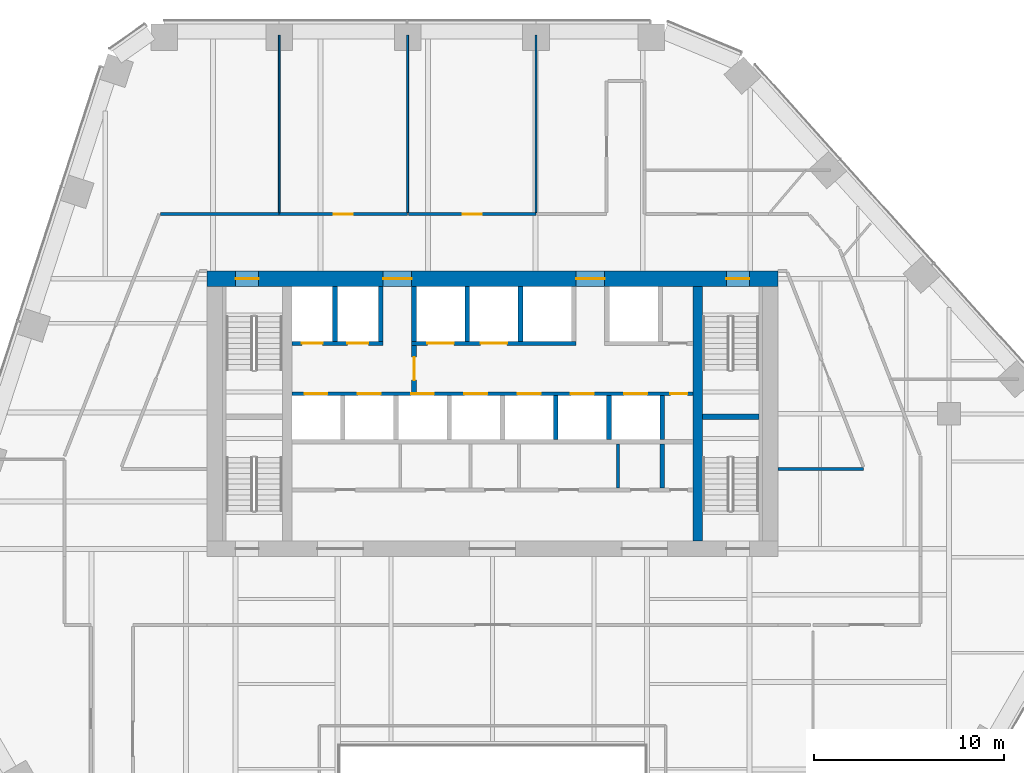
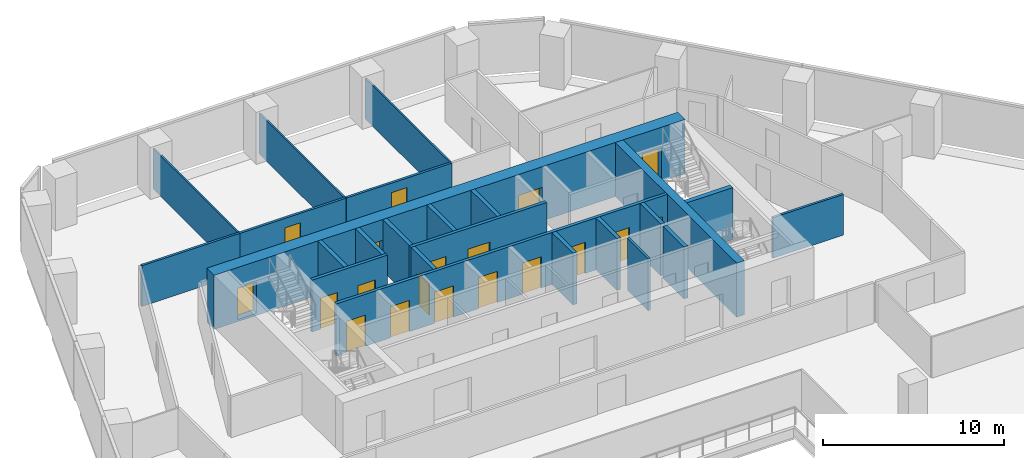
# One storey, part 12 of 16: 24 walls, 19 doors, 19 openings.
"""IFC4 building model written with IfcOpenShell, lengths in metres."""

from ifc_helpers import new_model, si_unit, direction, frame, frame_2d, origin, place, context, subcontext, project, spatial, rectangle, extrude, material, layer, layer_set, type_object, element, fill, save


model = new_model("IFC4")

# Units and contexts
model_context = context("Model", 3, precision=1e-05, world=origin(), true_north=direction((0.0, 1.0)))
body_context = subcontext(model_context, "Body", "Model", "MODEL_VIEW")
ifc_project = project(units=[si_unit("LENGTHUNIT", "METRE"), si_unit("AREAUNIT", "SQUARE_METRE"), si_unit("VOLUMEUNIT", "CUBIC_METRE"), si_unit("PLANEANGLEUNIT", "RADIAN"), si_unit("MASSUNIT", "GRAM", prefix="KILO")], contexts=[model_context])

# Site, building, storey
site_placement = place(None, origin())
site = spatial("IfcSite", under=ifc_project, at=site_placement, CompositionType="ELEMENT")
building_placement = place(site_placement, origin())
building = spatial("IfcBuilding", under=site, at=building_placement, Name="Isthmus Gate Tower", CompositionType="ELEMENT")
storey_placement = place(building_placement, frame((0.0, 0.0, 133.449951171875)))
storey = spatial("IfcBuildingStorey", under=building, at=storey_placement, Name="L32", CompositionType="ELEMENT", Elevation=133.449951171875)

# Wall, opening, door
ifc_material_1 = material(Name="Gypsum board on steel studs, fire-rated", Category="steel")
ifc_layer_1 = layer(ifc_material_1, 0.14990234375)
ifc_layer_set_1 = layer_set([ifc_layer_1], Name="CORRIDOR WALL 150 60 MIN")
wall_type_1 = type_object("IfcWallType", Name="CORRIDOR WALL 150 60 MIN", PredefinedType="PARTITIONING", material=ifc_layer_set_1)
wall_1_placement = place(storey_placement, frame((-11.2119140625, 18.0, 0.0), z_axis=(0.0, 0.0, 1.0), x_axis=(1.0, 0.0, 0.0)))
wall_1 = element("IfcWall", 1, at=wall_1_placement, inside=storey, type_object=wall_type_1, Name="L32 Corridor Wall 150 60 Min", PredefinedType="PARTITIONING", context=body_context, shape_type="SweptSolid", body=[
    extrude(rectangle(XDim=6.75, YDim=0.14990234375, at=frame_2d((3.375, 0.0))), origin(), (0.0, 0.0, 1.0), 2.7412109375),
])
opening_1_placement = place(wall_1_placement, frame((2.875, 0.0, 0.0)))
opening_1 = element("IfcOpeningElement", 2, at=opening_1_placement, cuts=wall_1, Name="Opening DT-T3A-01", PredefinedType="OPENING", context=body_context, shape_type="SweptSolid", body=[
    extrude(rectangle(XDim=1.0, YDim=2.10009765625, at=frame_2d((0.5, 1.050048828125))), frame((0.0, 0.0849609375, 0.0), z_axis=(0.0, -1.0, 0.0), x_axis=(1.0, 0.0, 0.0)), (0.0, 0.0, 1.0), 0.169921875),
])
ifc_material_2 = material(Name="Solid core timber door leaf, fire-rated", Category="wood")
door_type_1 = type_object("IfcDoorType", Name="FIRE DOOR ROOM 1000 X 2100 60 MIN", OperationType="SINGLE_SWING_LEFT", PredefinedType="DOOR", material=ifc_material_2)
door_1_placement = place(opening_1_placement, origin())
door_1 = element("IfcDoor", 3, at=door_1_placement, inside=storey, type_object=door_type_1, Name="L32 room door", OperationType="SINGLE_SWING_RIGHT", OverallHeight=2.10009765625, OverallWidth=1.0, PredefinedType="DOOR", context=body_context, shape_type="SweptSolid", body=[
    extrude(rectangle(XDim=1.0, YDim=2.10009765625, at=frame_2d((0.5, 1.050048828125))), frame((0.0, 0.02490234375, 0.0), z_axis=(0.0, -1.0, 0.0), x_axis=(1.0, 0.0, 0.0)), (0.0, 0.0, 1.0), 0.050048828125),
])
fill(opening_1, door_1)

wall_2_placement = place(storey_placement, frame((-4.412109375, 18.0, 0.0), z_axis=(0.0, 0.0, 1.0), x_axis=(1.0, 0.0, 0.0)))
wall_2 = element("IfcWall", 4, at=wall_2_placement, inside=storey, type_object=wall_type_1, Name="L32 Corridor Wall 150 60 Min", PredefinedType="PARTITIONING", context=body_context, shape_type="SweptSolid", body=[
    extrude(rectangle(XDim=6.7001953125, YDim=0.14990234375, at=frame_2d((3.35009765625, 0.0))), origin(), (0.0, 0.0, 1.0), 2.7412109375),
])
opening_2_placement = place(wall_2_placement, frame((2.85009765625, 0.0, 0.0)))
opening_2 = element("IfcOpeningElement", 5, at=opening_2_placement, cuts=wall_2, Name="Opening DT-T3A-02", PredefinedType="OPENING", context=body_context, shape_type="SweptSolid", body=[
    extrude(rectangle(XDim=1.0, YDim=2.10009765625, at=frame_2d((0.5, 1.050048828125))), frame((0.0, 0.0849609375, 0.0), z_axis=(0.0, -1.0, 0.0), x_axis=(1.0, 0.0, 0.0)), (0.0, 0.0, 1.0), 0.169921875),
])
door_2_placement = place(opening_2_placement, origin())
door_2 = element("IfcDoor", 6, at=door_2_placement, inside=storey, type_object=door_type_1, Name="L32 room door", OperationType="SINGLE_SWING_RIGHT", OverallHeight=2.10009765625, OverallWidth=1.0, PredefinedType="DOOR", context=body_context, shape_type="SweptSolid", body=[
    extrude(rectangle(XDim=1.0, YDim=2.10009765625, at=frame_2d((0.5, 1.050048828125))), frame((0.0, 0.02490234375, 0.0), z_axis=(0.0, -1.0, 0.0), x_axis=(1.0, 0.0, 0.0)), (0.0, 0.0, 1.0), 0.050048828125),
])
fill(opening_2, door_2)

# Walls
wall_3_placement = place(storey_placement, frame((-17.448974609375, 18.0, 0.0), z_axis=(0.0, 0.0, 1.0), x_axis=(1.0, 0.0, 0.0)))
element("IfcWall", 7, at=wall_3_placement, inside=storey, type_object=wall_type_1, Name="L32 Corridor Wall 150 60 Min", PredefinedType="PARTITIONING", context=body_context, shape_type="SweptSolid", body=[
    extrude(rectangle(XDim=6.237060546875, YDim=0.14990234375, at=frame_2d((3.11865234375, 0.0))), origin(), (0.0, 0.0, 1.0), 2.7412109375),
])
wall_4_placement = place(storey_placement, frame((15.0, 4.60009765625, 0.0), z_axis=(0.0, 0.0, 1.0), x_axis=(1.0, 0.0, 0.0)))
element("IfcWall", 8, at=wall_4_placement, inside=storey, type_object=wall_type_1, Name="L32 Corridor Wall 150 60 Min", PredefinedType="PARTITIONING", context=body_context, shape_type="SweptSolid", body=[
    extrude(rectangle(XDim=4.5, YDim=0.14990234375, at=frame_2d((2.25, 0.0))), origin(), (0.0, 0.0, 1.0), 2.7412109375),
])

# Wall, opening, door
ifc_material_3 = material(Name="Fire-rated blockwork masonry, 15 MPa", Category="masonry")
ifc_layer_2 = layer(ifc_material_3, 0.25)
ifc_layer_set_2 = layer_set([ifc_layer_2], Name="FIRE-FIGHTING LOBBY WALL 250 90 MIN")
wall_type_2 = type_object("IfcWallType", Name="FIRE-FIGHTING LOBBY WALL 250 90 MIN", PredefinedType="PARTITIONING", material=ifc_layer_set_2)
wall_5_placement = place(storey_placement, frame((-4.125, 8.64990234375, 0.0), z_axis=(0.0, 0.0, 1.0), x_axis=(0.0, 1.0, 0.0)))
wall_5 = element("IfcWall", 9, at=wall_5_placement, inside=storey, type_object=wall_type_2, Name="L32 FIRE-FIGHTING LOBBY WALL 250 90 MIN", PredefinedType="PARTITIONING", context=body_context, shape_type="SweptSolid", body=[
    extrude(rectangle(XDim=2.4501953125, YDim=0.25, at=frame_2d((1.22509765625, 0.0))), origin(), (0.0, 0.0, 1.0), 3.5),
])
opening_3_placement = place(wall_5_placement, frame((0.625, 0.0, 0.0)))
opening_3 = element("IfcOpeningElement", 10, at=opening_3_placement, cuts=wall_5, Name="Opening DC-A11-01", PredefinedType="OPENING", context=body_context, shape_type="SweptSolid", body=[
    extrude(rectangle(XDim=1.199951171875, YDim=2.10009765625, at=frame_2d((0.60009765625, 1.050048828125))), frame((0.0, 0.135009765625, 0.0), z_axis=(0.0, -1.0, 0.0), x_axis=(1.0, 0.0, 0.0)), (0.0, 0.0, 1.0), 0.27001953125),
])
ifc_material_4 = material(Name="Steel door leaf, fire-rated", Category="steel")
door_type_2 = type_object("IfcDoorType", Name="LOBBY FIRE DOOR 1200 X 2100 90 MIN", OperationType="DOUBLE_DOOR_SINGLE_SWING", PredefinedType="DOOR", material=ifc_material_4)
door_3_placement = place(opening_3_placement, origin())
door_3 = element("IfcDoor", 11, at=door_3_placement, inside=storey, type_object=door_type_2, Name="Fire-fighting Lobby Door", OperationType="SINGLE_SWING_LEFT", OverallHeight=2.10009765625, OverallWidth=1.199951171875, PredefinedType="DOOR", context=body_context, shape_type="SweptSolid", body=[
    extrude(rectangle(XDim=1.199951171875, YDim=2.10009765625, at=frame_2d((0.60009765625, 1.050048828125))), frame((0.0, 0.02490234375, 0.0), z_axis=(0.0, -1.0, 0.0), x_axis=(1.0, 0.0, 0.0)), (0.0, 0.0, 1.0), 0.050048828125),
])
fill(opening_3, door_3)

# Wall
ifc_material_5 = material(Name="Concrete f'c 60 MPa", Category="concrete")
ifc_layer_3 = layer(ifc_material_5, 0.5)
ifc_layer_set_3 = layer_set([ifc_layer_3], Name="RC CORE SPINE WALL 500 F'C 60")
wall_type_3 = type_object("IfcWallType", Name="RC CORE SPINE WALL 500 F'C 60", PredefinedType="SOLIDWALL", material=ifc_layer_set_3)
wall_6_placement = place(storey_placement, frame((10.800048828125, 0.800048828125, -0.14990234375), z_axis=(0.0, 0.0, 1.0), x_axis=(0.0, 1.0, 0.0)))
element("IfcWall", 12, at=wall_6_placement, inside=storey, type_object=wall_type_3, Name="str-corewall-L32-SPE", PredefinedType="SOLIDWALL", context=body_context, shape_type="SweptSolid", body=[
    extrude(rectangle(XDim=13.39990234375, YDim=0.5, at=frame_2d((6.699951171875, 0.0))), origin(), (0.0, 0.0, 1.0), 3.64990234375),
])

# Wall, openings, doors
ifc_material_6 = material(Name="Concrete f'c 60 MPa", Category="concrete")
ifc_layer_4 = layer(ifc_material_6, 0.800048828125)
ifc_layer_set_4 = layer_set([ifc_layer_4], Name="RC CORE WALL 800 F'C 60")
wall_type_4 = type_object("IfcWallType", Name="RC CORE WALL 800 F'C 60", PredefinedType="SOLIDWALL", material=ifc_layer_set_4)
wall_7_placement = place(storey_placement, frame((-15.0, 14.60009765625, -0.14990234375), z_axis=(0.0, 0.0, 1.0), x_axis=(1.0, 0.0, 0.0)))
wall_7 = element("IfcWall", 13, at=wall_7_placement, inside=storey, type_object=wall_type_4, Name="str-corewall-L32-N", PredefinedType="SOLIDWALL", context=body_context, shape_type="SweptSolid", body=[
    extrude(rectangle(XDim=30.0, YDim=0.800048828125, at=frame_2d((15.0, 0.0))), origin(), (0.0, 0.0, 1.0), 3.64990234375),
])
opening_4_placement = place(wall_7_placement, frame((9.25, 0.0, 0.14990234375)))
opening_4 = element("IfcOpeningElement", 14, at=opening_4_placement, cuts=wall_7, Name="Opening DC-A11-13", PredefinedType="OPENING", context=body_context, shape_type="SweptSolid", body=[
    extrude(rectangle(XDim=1.5, YDim=2.10009765625, at=frame_2d((0.75, 1.050048828125))), frame((0.0, 0.409912109375, 0.0), z_axis=(0.0, -1.0, 0.0), x_axis=(1.0, 0.0, 0.0)), (0.0, 0.0, 1.0), 0.820068359375),
])
opening_5_placement = place(wall_7_placement, frame((19.39990234375, 0.0, 0.14990234375)))
opening_5 = element("IfcOpeningElement", 15, at=opening_5_placement, cuts=wall_7, Name="Opening DC-A11-14", PredefinedType="OPENING", context=body_context, shape_type="SweptSolid", body=[
    extrude(rectangle(XDim=1.5, YDim=2.10009765625, at=frame_2d((0.75, 1.050048828125))), frame((0.0, 0.409912109375, 0.0), z_axis=(0.0, -1.0, 0.0), x_axis=(1.0, 0.0, 0.0)), (0.0, 0.0, 1.0), 0.820068359375),
])
opening_6_placement = place(wall_7_placement, frame((1.5, 0.0, 0.14990234375)))
opening_6 = element("IfcOpeningElement", 16, at=opening_6_placement, cuts=wall_7, Name="Opening DC-A11-15", PredefinedType="OPENING", context=body_context, shape_type="SweptSolid", body=[
    extrude(rectangle(XDim=1.199951171875, YDim=2.10009765625, at=frame_2d((0.60009765625, 1.050048828125))), frame((0.0, 0.409912109375, 0.0), z_axis=(0.0, -1.0, 0.0), x_axis=(1.0, 0.0, 0.0)), (0.0, 0.0, 1.0), 0.820068359375),
])
opening_7_placement = place(wall_7_placement, frame((27.300048828125, 0.0, 0.14990234375)))
opening_7 = element("IfcOpeningElement", 17, at=opening_7_placement, cuts=wall_7, Name="Opening DC-A11-16", PredefinedType="OPENING", context=body_context, shape_type="SweptSolid", body=[
    extrude(rectangle(XDim=1.199951171875, YDim=2.10009765625, at=frame_2d((0.60009765625, 1.050048828125))), frame((0.0, 0.409912109375, 0.0), z_axis=(0.0, -1.0, 0.0), x_axis=(1.0, 0.0, 0.0)), (0.0, 0.0, 1.0), 0.820068359375),
])
ifc_material_7 = material(Name="Steel door leaf, fire-rated", Category="steel")
door_type_3 = type_object("IfcDoorType", Name="LOBBY FIRE DOOR 1500 X 2100 60 MIN", OperationType="DOUBLE_DOOR_SINGLE_SWING", PredefinedType="DOOR", material=ifc_material_7)
door_4_placement = place(opening_5_placement, origin())
door_4 = element("IfcDoor", 18, at=door_4_placement, inside=storey, type_object=door_type_3, Name="Lobby Door PN-E", OperationType="DOUBLE_DOOR_SINGLE_SWING", OverallHeight=2.10009765625, OverallWidth=1.5, PredefinedType="DOOR", context=body_context, shape_type="SweptSolid", body=[
    extrude(rectangle(XDim=1.5, YDim=2.10009765625, at=frame_2d((0.75, 1.050048828125))), frame((0.0, 0.02490234375, 0.0), z_axis=(0.0, -1.0, 0.0), x_axis=(1.0, 0.0, 0.0)), (0.0, 0.0, 1.0), 0.050048828125),
])
fill(opening_5, door_4)
ifc_material_8 = material(Name="Steel door leaf, fire-rated", Category="steel")
door_type_4 = type_object("IfcDoorType", Name="LOBBY FIRE DOOR 1500 X 2100 90 MIN", OperationType="DOUBLE_DOOR_SINGLE_SWING", PredefinedType="DOOR", material=ifc_material_8)
door_5_placement = place(opening_4_placement, origin())
door_5 = element("IfcDoor", 19, at=door_5_placement, inside=storey, type_object=door_type_4, Name="Lobby Door PN-W", OperationType="DOUBLE_DOOR_SINGLE_SWING", OverallHeight=2.10009765625, OverallWidth=1.5, PredefinedType="DOOR", context=body_context, shape_type="SweptSolid", body=[
    extrude(rectangle(XDim=1.5, YDim=2.10009765625, at=frame_2d((0.75, 1.050048828125))), frame((0.0, 0.02490234375, 0.0), z_axis=(0.0, -1.0, 0.0), x_axis=(1.0, 0.0, 0.0)), (0.0, 0.0, 1.0), 0.050048828125),
])
fill(opening_4, door_5)
ifc_material_9 = material(Name="Steel door leaf, fire-rated", Category="steel")
door_type_5 = type_object("IfcDoorType", Name="STAIR FIRE DOOR 1200 X 2100 90 MIN", OperationType="SINGLE_SWING_LEFT", PredefinedType="DOOR", material=ifc_material_9)
door_6_placement = place(opening_6_placement, origin())
door_6 = element("IfcDoor", 20, at=door_6_placement, inside=storey, type_object=door_type_5, Name="Exit Stair 1 Door", OperationType="SINGLE_SWING_RIGHT", OverallHeight=2.10009765625, OverallWidth=1.199951171875, PredefinedType="DOOR", context=body_context, shape_type="SweptSolid", body=[
    extrude(rectangle(XDim=1.199951171875, YDim=2.10009765625, at=frame_2d((0.60009765625, 1.050048828125))), frame((0.0, 0.02490234375, 0.0), z_axis=(0.0, -1.0, 0.0), x_axis=(1.0, 0.0, 0.0)), (0.0, 0.0, 1.0), 0.050048828125),
])
fill(opening_6, door_6)
door_7_placement = place(opening_7_placement, origin())
door_7 = element("IfcDoor", 21, at=door_7_placement, inside=storey, type_object=door_type_5, Name="Exit Stair 2 Door", OperationType="SINGLE_SWING_LEFT", OverallHeight=2.10009765625, OverallWidth=1.199951171875, PredefinedType="DOOR", context=body_context, shape_type="SweptSolid", body=[
    extrude(rectangle(XDim=1.199951171875, YDim=2.10009765625, at=frame_2d((0.60009765625, 1.050048828125))), frame((0.0, 0.02490234375, 0.0), z_axis=(0.0, -1.0, 0.0), x_axis=(1.0, 0.0, 0.0)), (0.0, 0.0, 1.0), 0.050048828125),
])
fill(opening_7, door_7)

# Walls
ifc_material_10 = material(Name="Gypsum board on steel studs, fire-rated", Category="steel")
ifc_layer_5 = layer(ifc_material_10, 0.10009765625)
ifc_layer_set_5 = layer_set([ifc_layer_5], Name="ROOM PARTITION 100 30 MIN")
wall_type_5 = type_object("IfcWallType", Name="ROOM PARTITION 100 30 MIN", PredefinedType="PARTITIONING", material=ifc_layer_set_5)
for number, where, z_axis, x_axis, name in (
    (22, (-4.4619140625, 18.074951171875, 0.0), (0.0, 0.0, 1.0), (0.0, 1.0, 0.0), "L32 Room Partition 100 30 Min"),
    (23, (2.2880859375, 18.074951171875, 0.0), (0.0, 0.0, 1.0), (0.0, 1.0, 0.0), "L32 Room Partition 100 30 Min"),
    (24, (-11.2119140625, 18.074951171875, 0.0), (0.0, 0.0, 1.0), (0.0, 1.0, 0.0), "L32 Room Partition 100 30 Min"),
):
    element("IfcWall", number, at=place(storey_placement, frame(where, z_axis=z_axis, x_axis=x_axis)), inside=storey, type_object=wall_type_5, Name=name, PredefinedType="PARTITIONING", context=body_context, shape_type="SweptSolid", body=[
        extrude(rectangle(XDim=9.324951171875, YDim=0.10009765625, at=frame_2d((4.66259765625, 0.0))), origin(), (0.0, 0.0, 1.0), 2.7412109375),
    ])
ifc_material_11 = material(Name="Gypsum board on steel studs, fire-rated", Category="steel")
ifc_layer_6 = layer(ifc_material_11, 0.14990234375)
ifc_layer_set_6 = layer_set([ifc_layer_6], Name="ROOM PARTITION 150 60 MIN")
wall_type_6 = type_object("IfcWallType", Name="ROOM PARTITION 150 60 MIN", PredefinedType="PARTITIONING", material=ifc_layer_set_6)
wall_8_placement = place(storey_placement, frame((6.60009765625, 3.60009765625, 0.0), z_axis=(0.0, 0.0, 1.0), x_axis=(0.0, 1.0, 0.0)))
element("IfcWall", 25, at=wall_8_placement, inside=storey, type_object=wall_type_6, Name="L32 ROOM PARTITION 150 60 MIN", PredefinedType="PARTITIONING", context=body_context, shape_type="SweptSolid", body=[
    extrude(rectangle(XDim=2.2998046875, YDim=0.14990234375, at=frame_2d((1.14990234375, 0.0))), origin(), (0.0, 0.0, 1.0), 3.5),
])

# Wall, openings, doors
ifc_material_12 = material(Name="Fire-rated blockwork masonry, 15 MPa", Category="masonry")
ifc_layer_7 = layer(ifc_material_12, 0.199951171875)
ifc_layer_set_7 = layer_set([ifc_layer_7], Name="SHAFT FRONT WALL 200 120 MIN")
wall_type_7 = type_object("IfcWallType", Name="SHAFT FRONT WALL 200 120 MIN", PredefinedType="PARTITIONING", material=ifc_layer_set_7)
wall_9_placement = place(storey_placement, frame((-10.550048828125, 8.550048828125, 0.0), z_axis=(0.0, 0.0, 1.0), x_axis=(1.0, 0.0, 0.0)))
wall_9 = element("IfcWall", 26, at=wall_9_placement, inside=storey, type_object=wall_type_7, Name="L32 SHAFT FRONT WALL 200 120 MIN", PredefinedType="PARTITIONING", context=body_context, shape_type="SweptSolid", body=[
    extrude(rectangle(XDim=21.10009765625, YDim=0.199951171875, at=frame_2d((10.550048828125, 0.0))), origin(), (0.0, 0.0, 1.0), 3.5),
])
opening_8_placement = place(wall_9_placement, frame((0.675048828125, 0.0, 0.0)))
opening_8 = element("IfcOpeningElement", 27, at=opening_8_placement, cuts=wall_9, Name="Opening LD-LB1", PredefinedType="OPENING", context=body_context, shape_type="SweptSolid", body=[
    extrude(rectangle(XDim=1.199951171875, YDim=2.10009765625, at=frame_2d((0.60009765625, 1.050048828125))), frame((0.0, 0.10986328125, 0.0), z_axis=(0.0, -1.0, 0.0), x_axis=(1.0, 0.0, 0.0)), (0.0, 0.0, 1.0), 0.219970703125),
])
opening_9_placement = place(wall_9_placement, frame((3.47509765625, 0.0, 0.0)))
opening_9 = element("IfcOpeningElement", 28, at=opening_9_placement, cuts=wall_9, Name="Opening LD-LB2", PredefinedType="OPENING", context=body_context, shape_type="SweptSolid", body=[
    extrude(rectangle(XDim=1.199951171875, YDim=2.10009765625, at=frame_2d((0.60009765625, 1.050048828125))), frame((0.0, 0.10986328125, 0.0), z_axis=(0.0, -1.0, 0.0), x_axis=(1.0, 0.0, 0.0)), (0.0, 0.0, 1.0), 0.219970703125),
])
opening_10_placement = place(wall_9_placement, frame((6.27490234375, 0.0, 0.0)))
opening_10 = element("IfcOpeningElement", 29, at=opening_10_placement, cuts=wall_9, Name="Opening LD-LB3", PredefinedType="OPENING", context=body_context, shape_type="SweptSolid", body=[
    extrude(rectangle(XDim=1.199951171875, YDim=2.10009765625, at=frame_2d((0.60009765625, 1.050048828125))), frame((0.0, 0.10986328125, 0.0), z_axis=(0.0, -1.0, 0.0), x_axis=(1.0, 0.0, 0.0)), (0.0, 0.0, 1.0), 0.219970703125),
])
opening_11_placement = place(wall_9_placement, frame((9.074951171875, 0.0, 0.0)))
opening_11 = element("IfcOpeningElement", 30, at=opening_11_placement, cuts=wall_9, Name="Opening LD-LB4", PredefinedType="OPENING", context=body_context, shape_type="SweptSolid", body=[
    extrude(rectangle(XDim=1.199951171875, YDim=2.10009765625, at=frame_2d((0.60009765625, 1.050048828125))), frame((0.0, 0.10986328125, 0.0), z_axis=(0.0, -1.0, 0.0), x_axis=(1.0, 0.0, 0.0)), (0.0, 0.0, 1.0), 0.219970703125),
])
opening_12_placement = place(wall_9_placement, frame((11.875, 0.0, 0.0)))
opening_12 = element("IfcOpeningElement", 31, at=opening_12_placement, cuts=wall_9, Name="Opening LD-LB5", PredefinedType="OPENING", context=body_context, shape_type="SweptSolid", body=[
    extrude(rectangle(XDim=1.199951171875, YDim=2.10009765625, at=frame_2d((0.60009765625, 1.050048828125))), frame((0.0, 0.10986328125, 0.0), z_axis=(0.0, -1.0, 0.0), x_axis=(1.0, 0.0, 0.0)), (0.0, 0.0, 1.0), 0.219970703125),
])
opening_13_placement = place(wall_9_placement, frame((14.675048828125, 0.0, 0.0)))
opening_13 = element("IfcOpeningElement", 32, at=opening_13_placement, cuts=wall_9, Name="Opening LD-LB6", PredefinedType="OPENING", context=body_context, shape_type="SweptSolid", body=[
    extrude(rectangle(XDim=1.199951171875, YDim=2.10009765625, at=frame_2d((0.60009765625, 1.050048828125))), frame((0.0, 0.10986328125, 0.0), z_axis=(0.0, -1.0, 0.0), x_axis=(1.0, 0.0, 0.0)), (0.0, 0.0, 1.0), 0.219970703125),
])
opening_14_placement = place(wall_9_placement, frame((17.47509765625, 0.0, 0.0)))
opening_14 = element("IfcOpeningElement", 33, at=opening_14_placement, cuts=wall_9, Name="Opening LD-LB7", PredefinedType="OPENING", context=body_context, shape_type="SweptSolid", body=[
    extrude(rectangle(XDim=1.199951171875, YDim=2.10009765625, at=frame_2d((0.60009765625, 1.050048828125))), frame((0.0, 0.10986328125, 0.0), z_axis=(0.0, -1.0, 0.0), x_axis=(1.0, 0.0, 0.0)), (0.0, 0.0, 1.0), 0.219970703125),
])
opening_15_placement = place(wall_9_placement, frame((19.89990234375, 0.0, 0.0)))
opening_15 = element("IfcOpeningElement", 34, at=opening_15_placement, cuts=wall_9, Name="Opening DC-A11-08", PredefinedType="OPENING", context=body_context, shape_type="SweptSolid", body=[
    extrude(rectangle(XDim=0.89990234375, YDim=2.10009765625, at=frame_2d((0.449951171875, 1.050048828125))), frame((0.0, 0.10986328125, 0.0), z_axis=(0.0, -1.0, 0.0), x_axis=(1.0, 0.0, 0.0)), (0.0, 0.0, 1.0), 0.219970703125),
])
ifc_material_13 = material(Name="Stainless steel sliding leaf", Category="steel")
door_type_6 = type_object("IfcDoorType", Name="LIFT LANDING FIRE DOOR 1200 X 2100 90 MIN", OperationType="DOUBLE_DOOR_SLIDING", PredefinedType="DOOR", material=ifc_material_13)
door_8_placement = place(opening_8_placement, origin())
door_8 = element("IfcDoor", 35, at=door_8_placement, inside=storey, type_object=door_type_6, Name="Lift Landing Door LB1", OperationType="DOUBLE_DOOR_SLIDING", OverallHeight=2.10009765625, OverallWidth=1.199951171875, PredefinedType="DOOR", context=body_context, shape_type="SweptSolid", body=[
    extrude(rectangle(XDim=1.199951171875, YDim=2.10009765625, at=frame_2d((0.60009765625, 1.050048828125))), frame((0.0, 0.02490234375, 0.0), z_axis=(0.0, -1.0, 0.0), x_axis=(1.0, 0.0, 0.0)), (0.0, 0.0, 1.0), 0.050048828125),
])
fill(opening_8, door_8)
door_9_placement = place(opening_9_placement, origin())
door_9 = element("IfcDoor", 36, at=door_9_placement, inside=storey, type_object=door_type_6, Name="Lift Landing Door LB2", OperationType="DOUBLE_DOOR_SLIDING", OverallHeight=2.10009765625, OverallWidth=1.199951171875, PredefinedType="DOOR", context=body_context, shape_type="SweptSolid", body=[
    extrude(rectangle(XDim=1.199951171875, YDim=2.10009765625, at=frame_2d((0.60009765625, 1.050048828125))), frame((0.0, 0.02490234375, 0.0), z_axis=(0.0, -1.0, 0.0), x_axis=(1.0, 0.0, 0.0)), (0.0, 0.0, 1.0), 0.050048828125),
])
fill(opening_9, door_9)
door_10_placement = place(opening_10_placement, origin())
door_10 = element("IfcDoor", 37, at=door_10_placement, inside=storey, type_object=door_type_6, Name="Lift Landing Door LB3", OperationType="DOUBLE_DOOR_SLIDING", OverallHeight=2.10009765625, OverallWidth=1.199951171875, PredefinedType="DOOR", context=body_context, shape_type="SweptSolid", body=[
    extrude(rectangle(XDim=1.199951171875, YDim=2.10009765625, at=frame_2d((0.60009765625, 1.050048828125))), frame((0.0, 0.02490234375, 0.0), z_axis=(0.0, -1.0, 0.0), x_axis=(1.0, 0.0, 0.0)), (0.0, 0.0, 1.0), 0.050048828125),
])
fill(opening_10, door_10)
door_11_placement = place(opening_11_placement, origin())
door_11 = element("IfcDoor", 38, at=door_11_placement, inside=storey, type_object=door_type_6, Name="Lift Landing Door LB4", OperationType="DOUBLE_DOOR_SLIDING", OverallHeight=2.10009765625, OverallWidth=1.199951171875, PredefinedType="DOOR", context=body_context, shape_type="SweptSolid", body=[
    extrude(rectangle(XDim=1.199951171875, YDim=2.10009765625, at=frame_2d((0.60009765625, 1.050048828125))), frame((0.0, 0.02490234375, 0.0), z_axis=(0.0, -1.0, 0.0), x_axis=(1.0, 0.0, 0.0)), (0.0, 0.0, 1.0), 0.050048828125),
])
fill(opening_11, door_11)
door_12_placement = place(opening_12_placement, origin())
door_12 = element("IfcDoor", 39, at=door_12_placement, inside=storey, type_object=door_type_6, Name="Lift Landing Door LB5", OperationType="DOUBLE_DOOR_SLIDING", OverallHeight=2.10009765625, OverallWidth=1.199951171875, PredefinedType="DOOR", context=body_context, shape_type="SweptSolid", body=[
    extrude(rectangle(XDim=1.199951171875, YDim=2.10009765625, at=frame_2d((0.60009765625, 1.050048828125))), frame((0.0, 0.02490234375, 0.0), z_axis=(0.0, -1.0, 0.0), x_axis=(1.0, 0.0, 0.0)), (0.0, 0.0, 1.0), 0.050048828125),
])
fill(opening_12, door_12)
door_13_placement = place(opening_13_placement, origin())
door_13 = element("IfcDoor", 40, at=door_13_placement, inside=storey, type_object=door_type_6, Name="Lift Landing Door LB6", OperationType="DOUBLE_DOOR_SLIDING", OverallHeight=2.10009765625, OverallWidth=1.199951171875, PredefinedType="DOOR", context=body_context, shape_type="SweptSolid", body=[
    extrude(rectangle(XDim=1.199951171875, YDim=2.10009765625, at=frame_2d((0.60009765625, 1.050048828125))), frame((0.0, 0.02490234375, 0.0), z_axis=(0.0, -1.0, 0.0), x_axis=(1.0, 0.0, 0.0)), (0.0, 0.0, 1.0), 0.050048828125),
])
fill(opening_13, door_13)
door_14_placement = place(opening_14_placement, origin())
door_14 = element("IfcDoor", 41, at=door_14_placement, inside=storey, type_object=door_type_6, Name="Lift Landing Door LB7", OperationType="DOUBLE_DOOR_SLIDING", OverallHeight=2.10009765625, OverallWidth=1.199951171875, PredefinedType="DOOR", context=body_context, shape_type="SweptSolid", body=[
    extrude(rectangle(XDim=1.199951171875, YDim=2.10009765625, at=frame_2d((0.60009765625, 1.050048828125))), frame((0.0, 0.02490234375, 0.0), z_axis=(0.0, -1.0, 0.0), x_axis=(1.0, 0.0, 0.0)), (0.0, 0.0, 1.0), 0.050048828125),
])
fill(opening_14, door_14)
ifc_material_14 = material(Name="Steel door leaf, fire-rated", Category="steel")
door_type_7 = type_object("IfcDoorType", Name="RISER FIRE DOOR 900 X 2100 90 MIN", OperationType="SINGLE_SWING_LEFT", PredefinedType="DOOR", material=ifc_material_14)
door_15_placement = place(opening_15_placement, origin())
door_15 = element("IfcDoor", 42, at=door_15_placement, inside=storey, type_object=door_type_7, Name="Riser Door", OperationType="SINGLE_SWING_RIGHT", OverallHeight=2.10009765625, OverallWidth=0.89990234375, PredefinedType="DOOR", context=body_context, shape_type="SweptSolid", body=[
    extrude(rectangle(XDim=0.89990234375, YDim=2.10009765625, at=frame_2d((0.449951171875, 1.050048828125))), frame((0.0, 0.02490234375, 0.0), z_axis=(0.0, -1.0, 0.0), x_axis=(1.0, 0.0, 0.0)), (0.0, 0.0, 1.0), 0.050048828125),
])
fill(opening_15, door_15)

wall_10_placement = place(storey_placement, frame((-10.550048828125, 11.199951171875, 0.0), z_axis=(0.0, 0.0, 1.0), x_axis=(1.0, 0.0, 0.0)))
wall_10 = element("IfcWall", 43, at=wall_10_placement, inside=storey, type_object=wall_type_7, Name="L32 SHAFT FRONT WALL 200 120 MIN", PredefinedType="PARTITIONING", context=body_context, shape_type="SweptSolid", body=[
    extrude(rectangle(XDim=4.800048828125, YDim=0.199951171875, at=frame_2d((2.39990234375, 0.0))), origin(), (0.0, 0.0, 1.0), 3.5),
])
opening_16_placement = place(wall_10_placement, frame((0.52490234375, 0.0, 0.0)))
opening_16 = element("IfcOpeningElement", 44, at=opening_16_placement, cuts=wall_10, Name="Opening LD-LF1", PredefinedType="OPENING", context=body_context, shape_type="SweptSolid", body=[
    extrude(rectangle(XDim=1.10009765625, YDim=2.10009765625, at=frame_2d((0.550048828125, 1.050048828125))), frame((0.0, 0.10986328125, 0.0), z_axis=(0.0, -1.0, 0.0), x_axis=(1.0, 0.0, 0.0)), (0.0, 0.0, 1.0), 0.219970703125),
])
opening_17_placement = place(wall_10_placement, frame((2.925048828125, 0.0, 0.0)))
opening_17 = element("IfcOpeningElement", 45, at=opening_17_placement, cuts=wall_10, Name="Opening LD-LF2", PredefinedType="OPENING", context=body_context, shape_type="SweptSolid", body=[
    extrude(rectangle(XDim=1.10009765625, YDim=2.10009765625, at=frame_2d((0.550048828125, 1.050048828125))), frame((0.0, 0.10986328125, 0.0), z_axis=(0.0, -1.0, 0.0), x_axis=(1.0, 0.0, 0.0)), (0.0, 0.0, 1.0), 0.219970703125),
])
ifc_material_15 = material(Name="Stainless steel sliding leaf", Category="steel")
door_type_8 = type_object("IfcDoorType", Name="LIFT LANDING FIRE DOOR 1100 X 2100 90 MIN", OperationType="DOUBLE_DOOR_SLIDING", PredefinedType="DOOR", material=ifc_material_15)
door_16_placement = place(opening_16_placement, origin())
door_16 = element("IfcDoor", 46, at=door_16_placement, inside=storey, type_object=door_type_8, Name="Lift Landing Door LF1", OperationType="DOUBLE_DOOR_SLIDING", OverallHeight=2.10009765625, OverallWidth=1.10009765625, PredefinedType="DOOR", context=body_context, shape_type="SweptSolid", body=[
    extrude(rectangle(XDim=1.10009765625, YDim=2.10009765625, at=frame_2d((0.550048828125, 1.050048828125))), frame((0.0, 0.02490234375, 0.0), z_axis=(0.0, -1.0, 0.0), x_axis=(1.0, 0.0, 0.0)), (0.0, 0.0, 1.0), 0.050048828125),
])
fill(opening_16, door_16)
door_17_placement = place(opening_17_placement, origin())
door_17 = element("IfcDoor", 47, at=door_17_placement, inside=storey, type_object=door_type_8, Name="Lift Landing Door LF2", OperationType="DOUBLE_DOOR_SLIDING", OverallHeight=2.10009765625, OverallWidth=1.10009765625, PredefinedType="DOOR", context=body_context, shape_type="SweptSolid", body=[
    extrude(rectangle(XDim=1.10009765625, YDim=2.10009765625, at=frame_2d((0.550048828125, 1.050048828125))), frame((0.0, 0.02490234375, 0.0), z_axis=(0.0, -1.0, 0.0), x_axis=(1.0, 0.0, 0.0)), (0.0, 0.0, 1.0), 0.050048828125),
])
fill(opening_17, door_17)

wall_11_placement = place(storey_placement, frame((-4.25, 11.199951171875, 0.0), z_axis=(0.0, 0.0, 1.0), x_axis=(1.0, 0.0, 0.0)))
wall_11 = element("IfcWall", 48, at=wall_11_placement, inside=storey, type_object=wall_type_7, Name="L32 SHAFT FRONT WALL 200 120 MIN", PredefinedType="PARTITIONING", context=body_context, shape_type="SweptSolid", body=[
    extrude(rectangle(XDim=8.64990234375, YDim=0.199951171875, at=frame_2d((4.324951171875, 0.0))), origin(), (0.0, 0.0, 1.0), 3.5),
])
opening_18_placement = place(wall_11_placement, frame((0.824951171875, 0.0, 0.0)))
opening_18 = element("IfcOpeningElement", 49, at=opening_18_placement, cuts=wall_11, Name="Opening LD-LV1", PredefinedType="OPENING", context=body_context, shape_type="SweptSolid", body=[
    extrude(rectangle(XDim=1.39990234375, YDim=2.10009765625, at=frame_2d((0.699951171875, 1.050048828125))), frame((0.0, 0.10986328125, 0.0), z_axis=(0.0, -1.0, 0.0), x_axis=(1.0, 0.0, 0.0)), (0.0, 0.0, 1.0), 0.219970703125),
])
opening_19_placement = place(wall_11_placement, frame((3.625, 0.0, 0.0)))
opening_19 = element("IfcOpeningElement", 50, at=opening_19_placement, cuts=wall_11, Name="Opening LD-LV2", PredefinedType="OPENING", context=body_context, shape_type="SweptSolid", body=[
    extrude(rectangle(XDim=1.39990234375, YDim=2.10009765625, at=frame_2d((0.699951171875, 1.050048828125))), frame((0.0, 0.10986328125, 0.0), z_axis=(0.0, -1.0, 0.0), x_axis=(1.0, 0.0, 0.0)), (0.0, 0.0, 1.0), 0.219970703125),
])
ifc_material_16 = material(Name="Stainless steel sliding leaf", Category="steel")
door_type_9 = type_object("IfcDoorType", Name="LIFT LANDING FIRE DOOR 1400 X 2100 90 MIN", OperationType="DOUBLE_DOOR_SLIDING", PredefinedType="DOOR", material=ifc_material_16)
door_18_placement = place(opening_18_placement, origin())
door_18 = element("IfcDoor", 51, at=door_18_placement, inside=storey, type_object=door_type_9, Name="Lift Landing Door LV1", OperationType="DOUBLE_DOOR_SLIDING", OverallHeight=2.10009765625, OverallWidth=1.39990234375, PredefinedType="DOOR", context=body_context, shape_type="SweptSolid", body=[
    extrude(rectangle(XDim=1.39990234375, YDim=2.10009765625, at=frame_2d((0.699951171875, 1.050048828125))), frame((0.0, 0.02490234375, 0.0), z_axis=(0.0, -1.0, 0.0), x_axis=(1.0, 0.0, 0.0)), (0.0, 0.0, 1.0), 0.050048828125),
])
fill(opening_18, door_18)
door_19_placement = place(opening_19_placement, origin())
door_19 = element("IfcDoor", 52, at=door_19_placement, inside=storey, type_object=door_type_9, Name="Lift Landing Door LV2", OperationType="DOUBLE_DOOR_SLIDING", OverallHeight=2.10009765625, OverallWidth=1.39990234375, PredefinedType="DOOR", context=body_context, shape_type="SweptSolid", body=[
    extrude(rectangle(XDim=1.39990234375, YDim=2.10009765625, at=frame_2d((0.699951171875, 1.050048828125))), frame((0.0, 0.02490234375, 0.0), z_axis=(0.0, -1.0, 0.0), x_axis=(1.0, 0.0, 0.0)), (0.0, 0.0, 1.0), 0.050048828125),
])
fill(opening_19, door_19)

# Walls
ifc_material_17 = material(Name="Fire-rated blockwork masonry, 15 MPa", Category="masonry")
ifc_layer_8 = layer(ifc_material_17, 0.25)
ifc_layer_set_8 = layer_set([ifc_layer_8], Name="SHAFT WALL 250 120 MIN")
wall_type_8 = type_object("IfcWallType", Name="SHAFT WALL 250 120 MIN", PredefinedType="PARTITIONING", material=ifc_layer_set_8)
wall_12_placement = place(storey_placement, frame((8.925048828125, 3.60009765625, 0.0), z_axis=(0.0, 0.0, 1.0), x_axis=(0.0, 1.0, 0.0)))
element("IfcWall", 53, at=wall_12_placement, inside=storey, type_object=wall_type_8, Name="L32 SHAFT WALL 250 120 MIN", PredefinedType="PARTITIONING", context=body_context, shape_type="SweptSolid", body=[
    extrude(rectangle(XDim=2.2998046875, YDim=0.25, at=frame_2d((1.14990234375, 0.0))), origin(), (0.0, 0.0, 1.0), 3.5),
])
for number, where, z_axis, x_axis, name in (
    (54, (3.324951171875, 6.14990234375, 0.0), (0.0, 0.0, 1.0), (0.0, 1.0, 0.0), "L32 SHAFT WALL 250 120 MIN"),
    (55, (6.125, 6.14990234375, 0.0), (0.0, 0.0, 1.0), (0.0, 1.0, 0.0), "L32 SHAFT WALL 250 120 MIN"),
    (56, (8.925048828125, 6.14990234375, 0.0), (0.0, 0.0, 1.0), (0.0, 1.0, 0.0), "L32 SHAFT WALL 250 120 MIN"),
):
    element("IfcWall", number, at=place(storey_placement, frame(where, z_axis=z_axis, x_axis=x_axis)), inside=storey, type_object=wall_type_8, Name=name, PredefinedType="PARTITIONING", context=body_context, shape_type="SweptSolid", body=[
        extrude(rectangle(XDim=2.300048828125, YDim=0.25, at=frame_2d((1.14990234375, 0.0))), origin(), (0.0, 0.0, 1.0), 3.5),
    ])
for number, where, z_axis, x_axis, name in (
    (57, (-8.27490234375, 11.300048828125, 0.0), (0.0, 0.0, 1.0), (0.0, 1.0, 0.0), "L32 SHAFT WALL 250 120 MIN"),
    (58, (-5.875, 11.300048828125, 0.0), (0.0, 0.0, 1.0), (0.0, 1.0, 0.0), "L32 SHAFT WALL 250 120 MIN"),
    (59, (-4.125, 11.300048828125, 0.0), (0.0, 0.0, 1.0), (0.0, 1.0, 0.0), "L32 SHAFT WALL 250 120 MIN"),
    (60, (-1.324951171875, 11.300048828125, 0.0), (0.0, 0.0, 1.0), (0.0, 1.0, 0.0), "L32 SHAFT WALL 250 120 MIN"),
    (61, (1.47509765625, 11.300048828125, 0.0), (0.0, 0.0, 1.0), (0.0, 1.0, 0.0), "L32 SHAFT WALL 250 120 MIN"),
):
    element("IfcWall", number, at=place(storey_placement, frame(where, z_axis=z_axis, x_axis=x_axis)), inside=storey, type_object=wall_type_8, Name=name, PredefinedType="PARTITIONING", context=body_context, shape_type="SweptSolid", body=[
        extrude(rectangle(XDim=2.89990234375, YDim=0.25, at=frame_2d((1.449951171875, 0.0))), origin(), (0.0, 0.0, 1.0), 3.5),
    ])
ifc_material_18 = material(Name="Concrete f'c 40 MPa", Category="concrete")
ifc_layer_9 = layer(ifc_material_18, 0.300048828125)
ifc_layer_set_9 = layer_set([ifc_layer_9], Name="STAIR ENCLOSURE WALL 300 180 MIN")
wall_type_9 = type_object("IfcWallType", Name="STAIR ENCLOSURE WALL 300 180 MIN", PredefinedType="SOLIDWALL", material=ifc_layer_set_9)
wall_13_placement = place(storey_placement, frame((11.050048828125, 7.35009765625, 0.0), z_axis=(0.0, 0.0, 1.0), x_axis=(1.0, 0.0, 0.0)))
element("IfcWall", 62, at=wall_13_placement, inside=storey, type_object=wall_type_9, Name="L32 STAIR ENCLOSURE WALL 300 180 MIN", PredefinedType="SOLIDWALL", context=body_context, shape_type="SweptSolid", body=[
    extrude(rectangle(XDim=2.949951171875, YDim=0.300048828125, at=frame_2d((1.47509765625, 0.0))), origin(), (0.0, 0.0, 1.0), 3.5),
])

save(model, "model.ifc")
